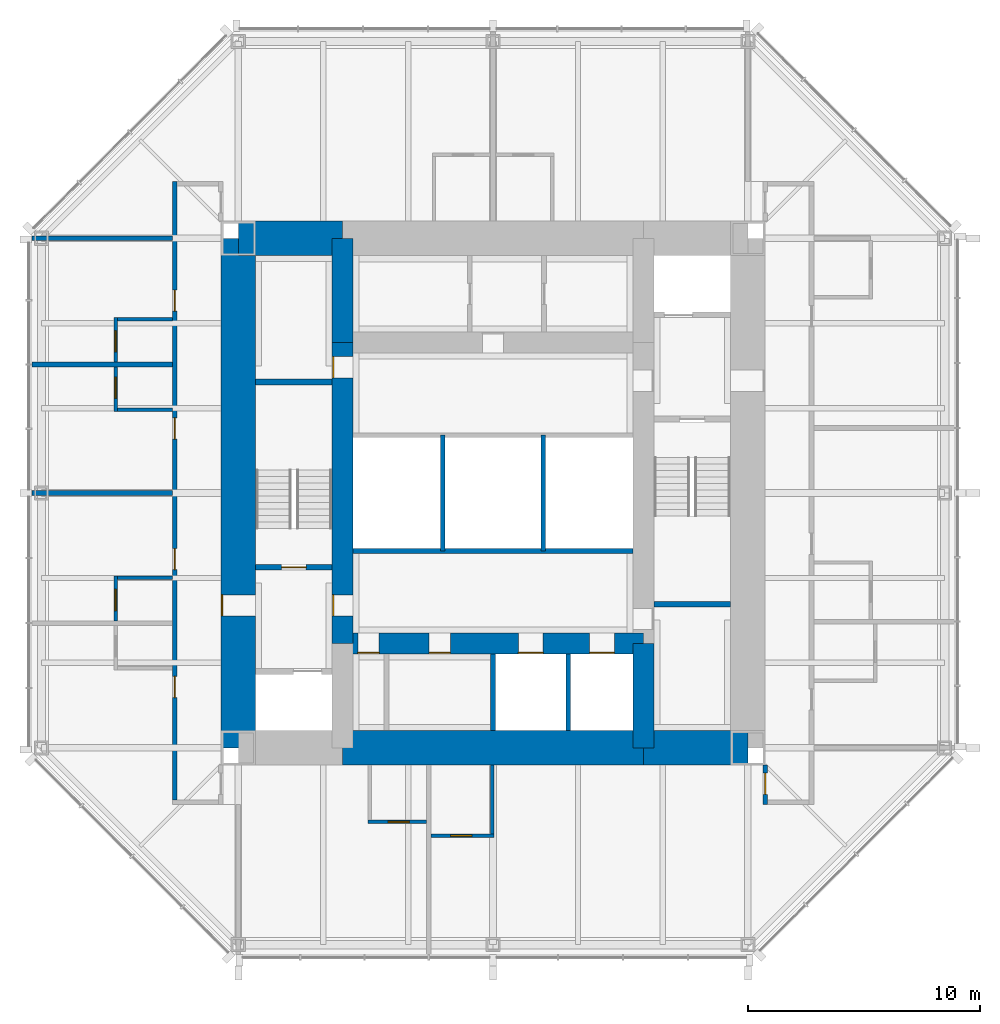
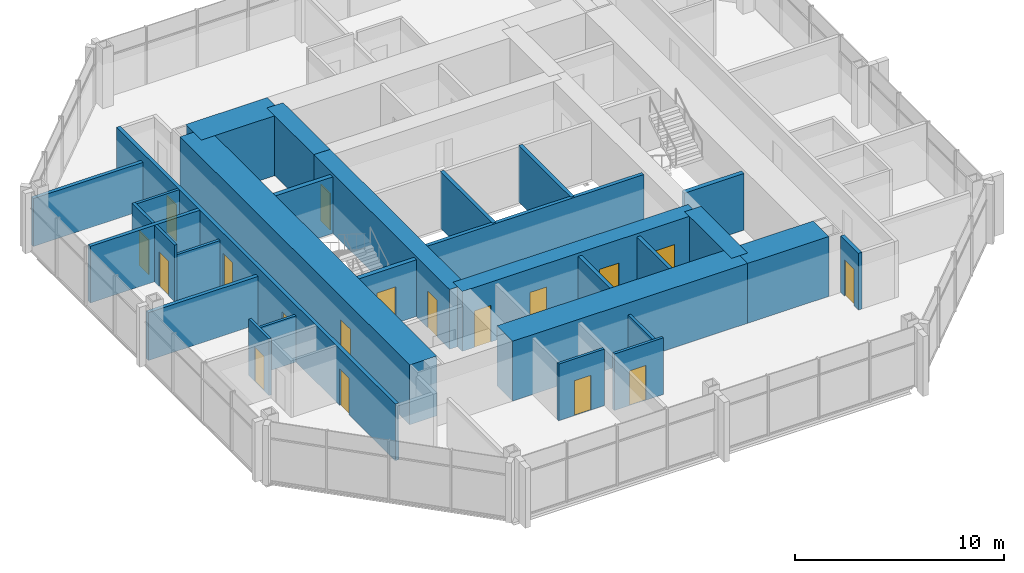
# One storey, part 8 of 11: 30 walls, 18 doors, 18 openings.
"""IFC4 building model written with IfcOpenShell, lengths in metres."""

from ifc_helpers import new_model, si_unit, direction, frame, frame_2d, origin, place, context, subcontext, project, spatial, rectangle, extrude, material, layer, layer_set, type_object, element, fill, save


model = new_model("IFC4")

# Units and contexts
model_context = context("Model", 3, precision=1e-05, world=origin(), true_north=direction((0.0, 1.0)))
body_context = subcontext(model_context, "Body", "Model", "MODEL_VIEW")
ifc_project = project(units=[si_unit("LENGTHUNIT", "METRE"), si_unit("AREAUNIT", "SQUARE_METRE"), si_unit("VOLUMEUNIT", "CUBIC_METRE"), si_unit("PLANEANGLEUNIT", "RADIAN"), si_unit("MASSUNIT", "GRAM", prefix="KILO")], contexts=[model_context])

# Site, building, storey
site_placement = place(None, origin())
site = spatial("IfcSite", under=ifc_project, at=site_placement, CompositionType="ELEMENT")
building_placement = place(site_placement, origin())
building = spatial("IfcBuilding", under=site, at=building_placement, Name="Trevanion Tower", CompositionType="ELEMENT")
storey_placement = place(building_placement, frame((0.0, 0.0, 222.199951171875)))
storey = spatial("IfcBuildingStorey", under=building, at=storey_placement, Name="L53", CompositionType="ELEMENT", Elevation=222.199951171875)

# Wall, opening, door
ifc_material_1 = material(Name="Concrete 10,000 psi", Category="concrete")
ifc_layer_1 = layer(ifc_material_1, 1.5)
ifc_layer_set_1 = layer_set([ifc_layer_1], Name="CW1 core wall 1500")
wall_type_1 = type_object("IfcWallType", Name="CW1 core wall 1500", PredefinedType="SHEAR", material=ifc_layer_set_1)
wall_1_placement = place(storey_placement, frame((-11.0, 11.0, 0.0), z_axis=(0.0, 0.0, 1.0), x_axis=(0.0, -1.0, 0.0)))
wall_1 = element("IfcWall", 1, at=wall_1_placement, inside=storey, type_object=wall_type_1, Name="CW1 CW L53", PredefinedType="SHEAR", context=body_context, shape_type="SweptSolid", body=[
    extrude(rectangle(XDim=22.0, YDim=1.5, at=frame_2d((11.0, 0.0))), origin(), (0.0, 0.0, 1.0), 3.5),
])
opening_1_placement = place(wall_1_placement, frame((15.392578125, 0.0, 0.0)))
opening_1 = element("IfcOpeningElement", 2, at=opening_1_placement, cuts=wall_1, Name="Opening 53-002", PredefinedType="OPENING", context=body_context, shape_type="SweptSolid", body=[
    extrude(rectangle(XDim=0.9150390625, YDim=2.134033203125, at=frame_2d((0.45751953125, 1.06689453125))), frame((0.0, 0.760009765625, 0.0), z_axis=(0.0, -1.0, 0.0), x_axis=(1.0, 0.0, 0.0)), (0.0, 0.0, 1.0), 1.52001953125),
])
ifc_material_2 = material(Name="Hollow metal, fire rated", Category="steel")
door_type_1 = type_object("IfcDoorType", Name="D3 fire lift lobby door", OperationType="SINGLE_SWING_RIGHT", PredefinedType="DOOR", material=ifc_material_2)
door_1_placement = place(opening_1_placement, origin())
door_1 = element("IfcDoor", 3, at=door_1_placement, inside=storey, type_object=door_type_1, Name="Door 53-002", OperationType="SINGLE_SWING_RIGHT", OverallHeight=2.134033203125, OverallWidth=0.9150390625, PredefinedType="DOOR", context=body_context, shape_type="SweptSolid", body=[
    extrude(rectangle(XDim=0.9150390625, YDim=2.134033203125, at=frame_2d((0.45751953125, 1.06689453125))), frame((0.0, -0.6748046875, 0.0), z_axis=(0.0, -1.0, 0.0), x_axis=(1.0, 0.0, 0.0)), (0.0, 0.0, 1.0), 0.050048828125),
])
fill(opening_1, door_1)

# Walls
wall_2_placement = place(storey_placement, frame((-6.5, 11.0, 0.0), z_axis=(0.0, 0.0, 1.0), x_axis=(-1.0, 0.0, 0.0)))
element("IfcWall", 4, at=wall_2_placement, inside=storey, type_object=wall_type_1, Name="CW1 CN3 L53", PredefinedType="SHEAR", context=body_context, shape_type="SweptSolid", body=[
    extrude(rectangle(XDim=4.5, YDim=1.5, at=frame_2d((2.25, 0.0))), origin(), (0.0, 0.0, 1.0), 3.5),
])
wall_3_placement = place(storey_placement, frame((-6.5, -11.0, 0.0), z_axis=(0.0, 0.0, 1.0), x_axis=(1.0, 0.0, 0.0)))
element("IfcWall", 5, at=wall_3_placement, inside=storey, type_object=wall_type_1, Name="CW1 CS2 L53", PredefinedType="SHEAR", context=body_context, shape_type="SweptSolid", body=[
    extrude(rectangle(XDim=13.0, YDim=1.5, at=frame_2d((6.5, 0.0))), origin(), (0.0, 0.0, 1.0), 3.5),
])
wall_4_placement = place(storey_placement, frame((6.5, -11.0, 0.0), z_axis=(0.0, 0.0, 1.0), x_axis=(1.0, 0.0, 0.0)))
element("IfcWall", 6, at=wall_4_placement, inside=storey, type_object=wall_type_1, Name="CW1 CS3 L53", PredefinedType="SHEAR", context=body_context, shape_type="SweptSolid", body=[
    extrude(rectangle(XDim=4.5, YDim=1.5, at=frame_2d((2.25, 0.0))), origin(), (0.0, 0.0, 1.0), 3.5),
])
ifc_material_3 = material(Name="Concrete 10,000 psi", Category="concrete")
ifc_layer_2 = layer(ifc_material_3, 0.89990234375)
ifc_layer_set_2 = layer_set([ifc_layer_2], Name="CW2 core wall 900")
wall_type_2 = type_object("IfcWallType", Name="CW2 core wall 900", PredefinedType="SHEAR", material=ifc_layer_set_2)
for number, where, z_axis, x_axis, name in (
    (7, (6.5, -11.0, 0.0), (0.0, 0.0, 1.0), (0.0, 1.0, 0.0), "CW2 RE1 L53"),
    (8, (-6.5, 11.0, 0.0), (0.0, 0.0, 1.0), (0.0, -1.0, 0.0), "CW2 RW1 L53"),
):
    element("IfcWall", number, at=place(storey_placement, frame(where, z_axis=z_axis, x_axis=x_axis)), inside=storey, type_object=wall_type_2, Name=name, PredefinedType="SHEAR", context=body_context, shape_type="SweptSolid", body=[
        extrude(rectangle(XDim=4.5, YDim=0.89990234375, at=frame_2d((2.25, 0.0))), origin(), (0.0, 0.0, 1.0), 3.5),
    ])

# Wall, openings, doors
wall_5_placement = place(storey_placement, frame((-6.5, 6.5, 0.0), z_axis=(0.0, 0.0, 1.0), x_axis=(0.0, -1.0, 0.0)))
wall_5 = element("IfcWall", 9, at=wall_5_placement, inside=storey, type_object=wall_type_2, Name="CW2 RW2 L53", PredefinedType="SHEAR", context=body_context, shape_type="SweptSolid", body=[
    extrude(rectangle(XDim=13.0, YDim=0.89990234375, at=frame_2d((6.5, 0.0))), origin(), (0.0, 0.0, 1.0), 3.5),
])
opening_2_placement = place(wall_5_placement, frame((10.892578125, 0.0, 0.0)))
opening_2 = element("IfcOpeningElement", 10, at=opening_2_placement, cuts=wall_5, Name="Opening 53-004", PredefinedType="OPENING", context=body_context, shape_type="SweptSolid", body=[
    extrude(rectangle(XDim=0.9150390625, YDim=2.134033203125, at=frame_2d((0.45751953125, 1.06689453125))), frame((0.0, 0.4599609375, 0.0), z_axis=(0.0, -1.0, 0.0), x_axis=(1.0, 0.0, 0.0)), (0.0, 0.0, 1.0), 0.919921875),
])
opening_3_placement = place(wall_5_placement, frame((0.610107421875, 0.0, 0.0)))
opening_3 = element("IfcOpeningElement", 11, at=opening_3_placement, cuts=wall_5, Name="Opening 53-010", PredefinedType="OPENING", context=body_context, shape_type="SweptSolid", body=[
    extrude(rectangle(XDim=0.9150390625, YDim=2.134033203125, at=frame_2d((0.45751953125, 1.06689453125))), frame((0.0, 0.4599609375, 0.0), z_axis=(0.0, -1.0, 0.0), x_axis=(1.0, 0.0, 0.0)), (0.0, 0.0, 1.0), 0.919921875),
])
door_2_placement = place(opening_2_placement, origin())
door_2 = element("IfcDoor", 12, at=door_2_placement, inside=storey, type_object=door_type_1, Name="Door 53-004", OperationType="SINGLE_SWING_RIGHT", OverallHeight=2.134033203125, OverallWidth=0.9150390625, PredefinedType="DOOR", context=body_context, shape_type="SweptSolid", body=[
    extrude(rectangle(XDim=0.9150390625, YDim=2.134033203125, at=frame_2d((0.45751953125, 1.06689453125))), frame((0.0, -0.375, 0.0), z_axis=(0.0, -1.0, 0.0), x_axis=(1.0, 0.0, 0.0)), (0.0, 0.0, 1.0), 0.050048828125),
])
fill(opening_2, door_2)
ifc_material_4 = material(Name="Hollow metal, fire rated", Category="steel")
door_type_2 = type_object("IfcDoorType", Name="D5 service room door", OperationType="SINGLE_SWING_RIGHT", PredefinedType="DOOR", material=ifc_material_4)
door_3_placement = place(opening_3_placement, origin())
door_3 = element("IfcDoor", 13, at=door_3_placement, inside=storey, type_object=door_type_2, Name="Door 53-010", OperationType="SINGLE_SWING_RIGHT", OverallHeight=2.134033203125, OverallWidth=0.9150390625, PredefinedType="DOOR", context=body_context, shape_type="SweptSolid", body=[
    extrude(rectangle(XDim=0.9150390625, YDim=2.134033203125, at=frame_2d((0.45751953125, 1.06689453125))), frame((0.0, -0.375, 0.0), z_axis=(0.0, -1.0, 0.0), x_axis=(1.0, 0.0, 0.0)), (0.0, 0.0, 1.0), 0.050048828125),
])
fill(opening_3, door_3)

wall_6_placement = place(storey_placement, frame((-6.5, -6.5, 0.0), z_axis=(0.0, 0.0, 1.0), x_axis=(1.0, 0.0, 0.0)))
wall_6 = element("IfcWall", 14, at=wall_6_placement, inside=storey, type_object=wall_type_2, Name="CW2 RS L53", PredefinedType="SHEAR", context=body_context, shape_type="SweptSolid", body=[
    extrude(rectangle(XDim=13.0, YDim=0.89990234375, at=frame_2d((6.5, 0.0))), origin(), (0.0, 0.0, 1.0), 3.5),
])
opening_4_placement = place(wall_6_placement, frame((7.591552734375, 0.0, 0.0)))
opening_4 = element("IfcOpeningElement", 15, at=opening_4_placement, cuts=wall_6, Name="Opening 53-011", PredefinedType="OPENING", context=body_context, shape_type="SweptSolid", body=[
    extrude(rectangle(XDim=1.06689453125, YDim=2.134033203125, at=frame_2d((0.533447265625, 1.06689453125))), frame((0.0, 0.4599609375, 0.0), z_axis=(0.0, -1.0, 0.0), x_axis=(1.0, 0.0, 0.0)), (0.0, 0.0, 1.0), 0.919921875),
])
opening_5_placement = place(wall_6_placement, frame((10.66650390625, 0.0, 0.0)))
opening_5 = element("IfcOpeningElement", 16, at=opening_5_placement, cuts=wall_6, Name="Opening 53-012", PredefinedType="OPENING", context=body_context, shape_type="SweptSolid", body=[
    extrude(rectangle(XDim=1.06689453125, YDim=2.134033203125, at=frame_2d((0.533447265625, 1.06689453125))), frame((0.0, 0.4599609375, 0.0), z_axis=(0.0, -1.0, 0.0), x_axis=(1.0, 0.0, 0.0)), (0.0, 0.0, 1.0), 0.919921875),
])
opening_6_placement = place(wall_6_placement, frame((0.66748046875, 0.0, 0.0)))
opening_6 = element("IfcOpeningElement", 17, at=opening_6_placement, cuts=wall_6, Name="Opening 53-013", PredefinedType="OPENING", context=body_context, shape_type="SweptSolid", body=[
    extrude(rectangle(XDim=0.9150390625, YDim=2.134033203125, at=frame_2d((0.45751953125, 1.06689453125))), frame((0.0, 0.4599609375, 0.0), z_axis=(0.0, -1.0, 0.0), x_axis=(1.0, 0.0, 0.0)), (0.0, 0.0, 1.0), 0.919921875),
])
opening_7_placement = place(wall_6_placement, frame((3.742431640625, 0.0, 0.0)))
opening_7 = element("IfcOpeningElement", 18, at=opening_7_placement, cuts=wall_6, Name="Opening 53-014", PredefinedType="OPENING", context=body_context, shape_type="SweptSolid", body=[
    extrude(rectangle(XDim=0.9150390625, YDim=2.134033203125, at=frame_2d((0.45751953125, 1.06689453125))), frame((0.0, 0.4599609375, 0.0), z_axis=(0.0, -1.0, 0.0), x_axis=(1.0, 0.0, 0.0)), (0.0, 0.0, 1.0), 0.919921875),
])
door_4_placement = place(opening_6_placement, origin())
door_4 = element("IfcDoor", 19, at=door_4_placement, inside=storey, type_object=door_type_2, Name="Door 53-013", OperationType="SINGLE_SWING_RIGHT", OverallHeight=2.134033203125, OverallWidth=0.9150390625, PredefinedType="DOOR", context=body_context, shape_type="SweptSolid", body=[
    extrude(rectangle(XDim=0.9150390625, YDim=2.134033203125, at=frame_2d((0.45751953125, 1.06689453125))), frame((0.0, -0.375, 0.0), z_axis=(0.0, -1.0, 0.0), x_axis=(1.0, 0.0, 0.0)), (0.0, 0.0, 1.0), 0.050048828125),
])
fill(opening_6, door_4)
door_5_placement = place(opening_7_placement, origin())
door_5 = element("IfcDoor", 20, at=door_5_placement, inside=storey, type_object=door_type_2, Name="Door 53-014", OperationType="SINGLE_SWING_RIGHT", OverallHeight=2.134033203125, OverallWidth=0.9150390625, PredefinedType="DOOR", context=body_context, shape_type="SweptSolid", body=[
    extrude(rectangle(XDim=0.9150390625, YDim=2.134033203125, at=frame_2d((0.45751953125, 1.06689453125))), frame((0.0, -0.375, 0.0), z_axis=(0.0, -1.0, 0.0), x_axis=(1.0, 0.0, 0.0)), (0.0, 0.0, 1.0), 0.050048828125),
])
fill(opening_7, door_5)
ifc_material_5 = material(Name="Stainless steel, fire rated", Category="steel")
door_type_3 = type_object("IfcDoorType", Name="LD1 lift landing door", OperationType="SLIDING_TO_LEFT", PredefinedType="DOOR", material=ifc_material_5)
door_6_placement = place(opening_4_placement, origin())
door_6 = element("IfcDoor", 21, at=door_6_placement, inside=storey, type_object=door_type_3, Name="Door 53-011", OperationType="SLIDING_TO_LEFT", OverallHeight=2.134033203125, OverallWidth=1.06689453125, PredefinedType="DOOR", context=body_context, shape_type="SweptSolid", body=[
    extrude(rectangle(XDim=1.06689453125, YDim=2.134033203125, at=frame_2d((0.533447265625, 1.06689453125))), frame((0.0, -0.375, 0.0), z_axis=(0.0, -1.0, 0.0), x_axis=(1.0, 0.0, 0.0)), (0.0, 0.0, 1.0), 0.050048828125),
])
fill(opening_4, door_6)
door_7_placement = place(opening_5_placement, origin())
door_7 = element("IfcDoor", 22, at=door_7_placement, inside=storey, type_object=door_type_3, Name="Door 53-012", OperationType="SLIDING_TO_LEFT", OverallHeight=2.134033203125, OverallWidth=1.06689453125, PredefinedType="DOOR", context=body_context, shape_type="SweptSolid", body=[
    extrude(rectangle(XDim=1.06689453125, YDim=2.134033203125, at=frame_2d((0.533447265625, 1.06689453125))), frame((0.0, -0.375, 0.0), z_axis=(0.0, -1.0, 0.0), x_axis=(1.0, 0.0, 0.0)), (0.0, 0.0, 1.0), 0.050048828125),
])
fill(opening_5, door_7)

# Wall, opening, door
ifc_material_6 = material(Name="Gypsum board on steel studs", Category="steel")
ifc_layer_3 = layer(ifc_material_6, 0.14990234375)
ifc_layer_set_3 = layer_set([ifc_layer_3], Name="PT1 partition 150")
wall_type_3 = type_object("IfcWallType", Name="PT1 partition 150", PredefinedType="PARTITIONING", material=ifc_layer_set_3)
wall_7_placement = place(storey_placement, frame((-16.300048828125, 7.573974609375, 0.0), z_axis=(0.0, 0.0, 1.0), x_axis=(0.0, -1.0, 0.0)))
wall_7 = element("IfcWall", 23, at=wall_7_placement, inside=storey, type_object=wall_type_3, Name="PT1 L53 BA20", PredefinedType="PARTITIONING", context=body_context, shape_type="SweptSolid", body=[
    extrude(rectangle(XDim=1.925048828125, YDim=0.14990234375, at=frame_2d((0.96240234375, 0.0))), origin(), (0.0, 0.0, 1.0), 3.31005859375),
])
opening_8_placement = place(wall_7_placement, frame((0.5673828125, 0.0, 0.0)))
opening_8 = element("IfcOpeningElement", 24, at=opening_8_placement, cuts=wall_7, Name="Opening 53-028", PredefinedType="OPENING", context=body_context, shape_type="SweptSolid", body=[
    extrude(rectangle(XDim=0.9150390625, YDim=2.031982421875, at=frame_2d((0.45751953125, 1.01611328125))), frame((0.0, 0.0849609375, 0.0), z_axis=(0.0, -1.0, 0.0), x_axis=(1.0, 0.0, 0.0)), (0.0, 0.0, 1.0), 0.169921875),
])
ifc_material_7 = material(Name="Timber veneer", Category="wood")
door_type_4 = type_object("IfcDoorType", Name="D7 bathroom door", OperationType="SINGLE_SWING_LEFT", PredefinedType="DOOR", material=ifc_material_7)
door_8_placement = place(opening_8_placement, origin())
door_8 = element("IfcDoor", 25, at=door_8_placement, inside=storey, type_object=door_type_4, Name="Door 53-028", OperationType="SINGLE_SWING_LEFT", OverallHeight=2.031982421875, OverallWidth=0.9150390625, PredefinedType="DOOR", context=body_context, shape_type="SweptSolid", body=[
    extrude(rectangle(XDim=0.9150390625, YDim=2.031982421875, at=frame_2d((0.45751953125, 1.01611328125))), frame((0.0, 0.02490234375, 0.0), z_axis=(0.0, -1.0, 0.0), x_axis=(1.0, 0.0, 0.0)), (0.0, 0.0, 1.0), 0.050048828125),
])
fill(opening_8, door_8)

# Wall
wall_8_placement = place(storey_placement, frame((-13.85009765625, 7.4990234375, 0.0), z_axis=(0.0, 0.0, 1.0), x_axis=(-1.0, 0.0, 0.0)))
element("IfcWall", 26, at=wall_8_placement, inside=storey, type_object=wall_type_3, Name="PT1 L53 BB20", PredefinedType="PARTITIONING", context=body_context, shape_type="SweptSolid", body=[
    extrude(rectangle(XDim=2.375, YDim=0.14990234375, at=frame_2d((1.1875, 0.0))), origin(), (0.0, 0.0, 1.0), 3.31005859375),
])

# Wall, opening, door
wall_9_placement = place(storey_placement, frame((-16.300048828125, 5.448974609375, 0.0), z_axis=(0.0, 0.0, 1.0), x_axis=(0.0, -1.0, 0.0)))
wall_9 = element("IfcWall", 27, at=wall_9_placement, inside=storey, type_object=wall_type_3, Name="PT1 L53 BA21", PredefinedType="PARTITIONING", context=body_context, shape_type="SweptSolid", body=[
    extrude(rectangle(XDim=1.925048828125, YDim=0.14990234375, at=frame_2d((0.96240234375, 0.0))), origin(), (0.0, 0.0, 1.0), 3.31005859375),
])
opening_9_placement = place(wall_9_placement, frame((0.4423828125, 0.0, 0.0)))
opening_9 = element("IfcOpeningElement", 28, at=opening_9_placement, cuts=wall_9, Name="Opening 53-030", PredefinedType="OPENING", context=body_context, shape_type="SweptSolid", body=[
    extrude(rectangle(XDim=0.9150390625, YDim=2.031982421875, at=frame_2d((0.45751953125, 1.01611328125))), frame((0.0, 0.0849609375, 0.0), z_axis=(0.0, -1.0, 0.0), x_axis=(1.0, 0.0, 0.0)), (0.0, 0.0, 1.0), 0.169921875),
])
door_9_placement = place(opening_9_placement, origin())
door_9 = element("IfcDoor", 29, at=door_9_placement, inside=storey, type_object=door_type_4, Name="Door 53-030", OperationType="SINGLE_SWING_LEFT", OverallHeight=2.031982421875, OverallWidth=0.9150390625, PredefinedType="DOOR", context=body_context, shape_type="SweptSolid", body=[
    extrude(rectangle(XDim=0.9150390625, YDim=2.031982421875, at=frame_2d((0.45751953125, 1.01611328125))), frame((0.0, 0.02490234375, 0.0), z_axis=(0.0, -1.0, 0.0), x_axis=(1.0, 0.0, 0.0)), (0.0, 0.0, 1.0), 0.050048828125),
])
fill(opening_9, door_9)

# Wall
wall_10_placement = place(storey_placement, frame((-13.85009765625, 3.59912109375, 0.0), z_axis=(0.0, 0.0, 1.0), x_axis=(-1.0, 0.0, 0.0)))
element("IfcWall", 30, at=wall_10_placement, inside=storey, type_object=wall_type_3, Name="PT1 L53 BB21", PredefinedType="PARTITIONING", context=body_context, shape_type="SweptSolid", body=[
    extrude(rectangle(XDim=2.375, YDim=0.14990234375, at=frame_2d((1.1875, 0.0))), origin(), (0.0, 0.0, 1.0), 2.703125),
])

# Wall, opening, door
wall_11_placement = place(storey_placement, frame((-16.300048828125, -3.589111328125, 0.0), z_axis=(0.0, 0.0, 1.0), x_axis=(0.0, -1.0, 0.0)))
wall_11 = element("IfcWall", 31, at=wall_11_placement, inside=storey, type_object=wall_type_3, Name="PT1 L53 BA22", PredefinedType="PARTITIONING", context=body_context, shape_type="SweptSolid", body=[
    extrude(rectangle(XDim=1.9248046875, YDim=0.14990234375, at=frame_2d((0.96240234375, 0.0))), origin(), (0.0, 0.0, 1.0), 3.31005859375),
])
opening_10_placement = place(wall_11_placement, frame((0.5673828125, 0.0, 0.0)))
opening_10 = element("IfcOpeningElement", 32, at=opening_10_placement, cuts=wall_11, Name="Opening 53-032", PredefinedType="OPENING", context=body_context, shape_type="SweptSolid", body=[
    extrude(rectangle(XDim=0.9150390625, YDim=2.031982421875, at=frame_2d((0.45751953125, 1.01611328125))), frame((0.0, 0.0849609375, 0.0), z_axis=(0.0, -1.0, 0.0), x_axis=(1.0, 0.0, 0.0)), (0.0, 0.0, 1.0), 0.169921875),
])
door_10_placement = place(opening_10_placement, origin())
door_10 = element("IfcDoor", 33, at=door_10_placement, inside=storey, type_object=door_type_4, Name="Door 53-032", OperationType="SINGLE_SWING_LEFT", OverallHeight=2.031982421875, OverallWidth=0.9150390625, PredefinedType="DOOR", context=body_context, shape_type="SweptSolid", body=[
    extrude(rectangle(XDim=0.9150390625, YDim=2.031982421875, at=frame_2d((0.45751953125, 1.01611328125))), frame((0.0, 0.02490234375, 0.0), z_axis=(0.0, -1.0, 0.0), x_axis=(1.0, 0.0, 0.0)), (0.0, 0.0, 1.0), 0.050048828125),
])
fill(opening_10, door_10)

# Wall
wall_12_placement = place(storey_placement, frame((-13.85009765625, -3.6640625, 0.0), z_axis=(0.0, 0.0, 1.0), x_axis=(-1.0, 0.0, 0.0)))
element("IfcWall", 34, at=wall_12_placement, inside=storey, type_object=wall_type_3, Name="PT1 L53 BB22", PredefinedType="PARTITIONING", context=body_context, shape_type="SweptSolid", body=[
    extrude(rectangle(XDim=2.375, YDim=0.14990234375, at=frame_2d((1.1875, 0.0))), origin(), (0.0, 0.0, 1.0), 2.703125),
])

# Wall, opening, door
wall_13_placement = place(storey_placement, frame((-5.39990234375, -14.199951171875, 0.0), z_axis=(0.0, 0.0, 1.0), x_axis=(1.0, 0.0, 0.0)))
wall_13 = element("IfcWall", 35, at=wall_13_placement, inside=storey, type_object=wall_type_3, Name="PT1 L53 BA30", PredefinedType="PARTITIONING", context=body_context, shape_type="SweptSolid", body=[
    extrude(rectangle(XDim=2.52490234375, YDim=0.14990234375, at=frame_2d((1.262451171875, 0.0))), origin(), (0.0, 0.0, 1.0), 3.31005859375),
])
opening_11_placement = place(wall_13_placement, frame((0.867431640625, 0.0, 0.0)))
opening_11 = element("IfcOpeningElement", 36, at=opening_11_placement, cuts=wall_13, Name="Opening 53-038", PredefinedType="OPENING", context=body_context, shape_type="SweptSolid", body=[
    extrude(rectangle(XDim=0.9150390625, YDim=2.031982421875, at=frame_2d((0.45751953125, 1.01611328125))), frame((0.0, 0.0849609375, 0.0), z_axis=(0.0, -1.0, 0.0), x_axis=(1.0, 0.0, 0.0)), (0.0, 0.0, 1.0), 0.169921875),
])
door_11_placement = place(opening_11_placement, origin())
door_11 = element("IfcDoor", 37, at=door_11_placement, inside=storey, type_object=door_type_4, Name="Door 53-038", OperationType="SINGLE_SWING_LEFT", OverallHeight=2.031982421875, OverallWidth=0.9150390625, PredefinedType="DOOR", context=body_context, shape_type="SweptSolid", body=[
    extrude(rectangle(XDim=0.9150390625, YDim=2.031982421875, at=frame_2d((0.45751953125, 1.01611328125))), frame((0.0, 0.02490234375, 0.0), z_axis=(0.0, -1.0, 0.0), x_axis=(1.0, 0.0, 0.0)), (0.0, 0.0, 1.0), 0.050048828125),
])
fill(opening_11, door_11)

wall_14_placement = place(storey_placement, frame((-2.675048828125, -14.800048828125, 0.0), z_axis=(0.0, 0.0, 1.0), x_axis=(1.0, 0.0, 0.0)))
wall_14 = element("IfcWall", 38, at=wall_14_placement, inside=storey, type_object=wall_type_3, Name="PT1 L53 BA31", PredefinedType="PARTITIONING", context=body_context, shape_type="SweptSolid", body=[
    extrude(rectangle(XDim=2.72509765625, YDim=0.14990234375, at=frame_2d((1.362548828125, 0.0))), origin(), (0.0, 0.0, 1.0), 3.31005859375),
])
opening_12_placement = place(wall_14_placement, frame((0.842529296875, 0.0, 0.0)))
opening_12 = element("IfcOpeningElement", 39, at=opening_12_placement, cuts=wall_14, Name="Opening 53-039", PredefinedType="OPENING", context=body_context, shape_type="SweptSolid", body=[
    extrude(rectangle(XDim=0.9150390625, YDim=2.031982421875, at=frame_2d((0.45751953125, 1.01611328125))), frame((0.0, 0.0849609375, 0.0), z_axis=(0.0, -1.0, 0.0), x_axis=(1.0, 0.0, 0.0)), (0.0, 0.0, 1.0), 0.169921875),
])
door_12_placement = place(opening_12_placement, origin())
door_12 = element("IfcDoor", 40, at=door_12_placement, inside=storey, type_object=door_type_4, Name="Door 53-039", OperationType="SINGLE_SWING_LEFT", OverallHeight=2.031982421875, OverallWidth=0.9150390625, PredefinedType="DOOR", context=body_context, shape_type="SweptSolid", body=[
    extrude(rectangle(XDim=0.9150390625, YDim=2.031982421875, at=frame_2d((0.45751953125, 1.01611328125))), frame((0.0, 0.02490234375, 0.0), z_axis=(0.0, -1.0, 0.0), x_axis=(1.0, 0.0, 0.0)), (0.0, 0.0, 1.0), 0.050048828125),
])
fill(opening_12, door_12)

# Walls
wall_15_placement = place(storey_placement, frame((-0.02490234375, -11.75, 0.0), z_axis=(0.0, 0.0, 1.0), x_axis=(0.0, -1.0, 0.0)))
element("IfcWall", 41, at=wall_15_placement, inside=storey, type_object=wall_type_3, Name="PT1 L53 BB31", PredefinedType="PARTITIONING", context=body_context, shape_type="SweptSolid", body=[
    extrude(rectangle(XDim=2.97509765625, YDim=0.14990234375, at=frame_2d((1.487548828125, 0.0))), origin(), (0.0, 0.0, 1.0), 2.802001953125),
])
ifc_material_8 = material(Name="Concrete masonry, grouted", Category="masonry")
ifc_layer_4 = layer(ifc_material_8, 0.199951171875)
ifc_layer_set_4 = layer_set([ifc_layer_4], Name="PT2 partition 200 1 HR")
wall_type_4 = type_object("IfcWallType", Name="PT2 partition 200 1 HR", PredefinedType="PARTITIONING", material=ifc_layer_set_4)
wall_16_placement = place(storey_placement, frame((6.050048828125, -2.5, 0.0), z_axis=(0.0, 0.0, 1.0), x_axis=(-1.0, 0.0, 0.0)))
element("IfcWall", 42, at=wall_16_placement, inside=storey, type_object=wall_type_4, Name="PT2 L53 CP2", PredefinedType="PARTITIONING", context=body_context, shape_type="SweptSolid", body=[
    extrude(rectangle(XDim=12.10009765625, YDim=0.199951171875, at=frame_2d((6.050048828125, 0.0))), origin(), (0.0, 0.0, 1.0), 3.31005859375),
])

# Wall, opening, door
wall_17_placement = place(storey_placement, frame((11.75, -11.75, 0.0), z_axis=(0.0, 0.0, 1.0), x_axis=(0.0, -1.0, 0.0)))
wall_17 = element("IfcWall", 43, at=wall_17_placement, inside=storey, type_object=wall_type_4, Name="PT2 L53 HO3b", PredefinedType="PARTITIONING", context=body_context, shape_type="SweptSolid", body=[
    extrude(rectangle(XDim=1.699951171875, YDim=0.199951171875, at=frame_2d((0.85009765625, 0.0))), origin(), (0.0, 0.0, 1.0), 3.31005859375),
])
opening_13_placement = place(wall_17_placement, frame((0.342529296875, 0.0, 0.0)))
opening_13 = element("IfcOpeningElement", 44, at=opening_13_placement, cuts=wall_17, Name="Opening 53-037", PredefinedType="OPENING", context=body_context, shape_type="SweptSolid", body=[
    extrude(rectangle(XDim=0.9150390625, YDim=2.134033203125, at=frame_2d((0.45751953125, 1.06689453125))), frame((0.0, 0.10986328125, 0.0), z_axis=(0.0, -1.0, 0.0), x_axis=(1.0, 0.0, 0.0)), (0.0, 0.0, 1.0), 0.219970703125),
])
ifc_material_9 = material(Name="Timber veneer, fire rated", Category="wood")
door_type_5 = type_object("IfcDoorType", Name="D6 guest room entrance door", OperationType="SINGLE_SWING_LEFT", PredefinedType="DOOR", material=ifc_material_9)
door_13_placement = place(opening_13_placement, origin())
door_13 = element("IfcDoor", 45, at=door_13_placement, inside=storey, type_object=door_type_5, Name="Door 53-037", OperationType="SINGLE_SWING_LEFT", OverallHeight=2.134033203125, OverallWidth=0.9150390625, PredefinedType="DOOR", context=body_context, shape_type="SweptSolid", body=[
    extrude(rectangle(XDim=0.9150390625, YDim=2.134033203125, at=frame_2d((0.45751953125, 1.06689453125))), frame((0.0, 0.02490234375, 0.0), z_axis=(0.0, -1.0, 0.0), x_axis=(1.0, 0.0, 0.0)), (0.0, 0.0, 1.0), 0.050048828125),
])
fill(opening_13, door_13)

# Wall, openings, doors
wall_18_placement = place(storey_placement, frame((-13.75, 13.449951171875, 0.0), z_axis=(0.0, 0.0, 1.0), x_axis=(0.0, -1.0, 0.0)))
wall_18 = element("IfcWall", 46, at=wall_18_placement, inside=storey, type_object=wall_type_4, Name="PT2 L53 HC2", PredefinedType="PARTITIONING", context=body_context, shape_type="SweptSolid", body=[
    extrude(rectangle(XDim=26.699951171875, YDim=0.199951171875, at=frame_2d((13.35009765625, 0.0))), origin(), (0.0, 0.0, 1.0), 3.31005859375),
])
opening_14_placement = place(wall_18_placement, frame((4.68359375, 0.0, 0.0)))
opening_14 = element("IfcOpeningElement", 47, at=opening_14_placement, cuts=wall_18, Name="Opening 53-029", PredefinedType="OPENING", context=body_context, shape_type="SweptSolid", body=[
    extrude(rectangle(XDim=0.9150390625, YDim=2.134033203125, at=frame_2d((0.45751953125, 1.06689453125))), frame((0.0, 0.10986328125, 0.0), z_axis=(0.0, -1.0, 0.0), x_axis=(1.0, 0.0, 0.0)), (0.0, 0.0, 1.0), 0.219970703125),
])
opening_15_placement = place(wall_18_placement, frame((10.20361328125, 0.0, 0.0)))
opening_15 = element("IfcOpeningElement", 48, at=opening_15_placement, cuts=wall_18, Name="Opening 53-031", PredefinedType="OPENING", context=body_context, shape_type="SweptSolid", body=[
    extrude(rectangle(XDim=0.9150390625, YDim=2.134033203125, at=frame_2d((0.45751953125, 1.06689453125))), frame((0.0, 0.10986328125, 0.0), z_axis=(0.0, -1.0, 0.0), x_axis=(1.0, 0.0, 0.0)), (0.0, 0.0, 1.0), 0.219970703125),
])
opening_16_placement = place(wall_18_placement, frame((15.846435546875, 0.0, 0.0)))
opening_16 = element("IfcOpeningElement", 49, at=opening_16_placement, cuts=wall_18, Name="Opening 53-033", PredefinedType="OPENING", context=body_context, shape_type="SweptSolid", body=[
    extrude(rectangle(XDim=0.9150390625, YDim=2.134033203125, at=frame_2d((0.45751953125, 1.06689453125))), frame((0.0, 0.10986328125, 0.0), z_axis=(0.0, -1.0, 0.0), x_axis=(1.0, 0.0, 0.0)), (0.0, 0.0, 1.0), 0.219970703125),
])
opening_17_placement = place(wall_18_placement, frame((21.366455078125, 0.0, 0.0)))
opening_17 = element("IfcOpeningElement", 50, at=opening_17_placement, cuts=wall_18, Name="Opening 53-035", PredefinedType="OPENING", context=body_context, shape_type="SweptSolid", body=[
    extrude(rectangle(XDim=0.9150390625, YDim=2.134033203125, at=frame_2d((0.45751953125, 1.06689453125))), frame((0.0, 0.10986328125, 0.0), z_axis=(0.0, -1.0, 0.0), x_axis=(1.0, 0.0, 0.0)), (0.0, 0.0, 1.0), 0.219970703125),
])
door_14_placement = place(opening_14_placement, origin())
door_14 = element("IfcDoor", 51, at=door_14_placement, inside=storey, type_object=door_type_5, Name="Door 53-029", OperationType="SINGLE_SWING_LEFT", OverallHeight=2.134033203125, OverallWidth=0.9150390625, PredefinedType="DOOR", context=body_context, shape_type="SweptSolid", body=[
    extrude(rectangle(XDim=0.9150390625, YDim=2.134033203125, at=frame_2d((0.45751953125, 1.06689453125))), frame((0.0, 0.02490234375, 0.0), z_axis=(0.0, -1.0, 0.0), x_axis=(1.0, 0.0, 0.0)), (0.0, 0.0, 1.0), 0.050048828125),
])
fill(opening_14, door_14)
door_15_placement = place(opening_15_placement, origin())
door_15 = element("IfcDoor", 52, at=door_15_placement, inside=storey, type_object=door_type_5, Name="Door 53-031", OperationType="SINGLE_SWING_LEFT", OverallHeight=2.134033203125, OverallWidth=0.9150390625, PredefinedType="DOOR", context=body_context, shape_type="SweptSolid", body=[
    extrude(rectangle(XDim=0.9150390625, YDim=2.134033203125, at=frame_2d((0.45751953125, 1.06689453125))), frame((0.0, 0.02490234375, 0.0), z_axis=(0.0, -1.0, 0.0), x_axis=(1.0, 0.0, 0.0)), (0.0, 0.0, 1.0), 0.050048828125),
])
fill(opening_15, door_15)
door_16_placement = place(opening_16_placement, origin())
door_16 = element("IfcDoor", 53, at=door_16_placement, inside=storey, type_object=door_type_5, Name="Door 53-033", OperationType="SINGLE_SWING_LEFT", OverallHeight=2.134033203125, OverallWidth=0.9150390625, PredefinedType="DOOR", context=body_context, shape_type="SweptSolid", body=[
    extrude(rectangle(XDim=0.9150390625, YDim=2.134033203125, at=frame_2d((0.45751953125, 1.06689453125))), frame((0.0, 0.02490234375, 0.0), z_axis=(0.0, -1.0, 0.0), x_axis=(1.0, 0.0, 0.0)), (0.0, 0.0, 1.0), 0.050048828125),
])
fill(opening_16, door_16)
door_17_placement = place(opening_17_placement, origin())
door_17 = element("IfcDoor", 54, at=door_17_placement, inside=storey, type_object=door_type_5, Name="Door 53-035", OperationType="SINGLE_SWING_LEFT", OverallHeight=2.134033203125, OverallWidth=0.9150390625, PredefinedType="DOOR", context=body_context, shape_type="SweptSolid", body=[
    extrude(rectangle(XDim=0.9150390625, YDim=2.134033203125, at=frame_2d((0.45751953125, 1.06689453125))), frame((0.0, 0.02490234375, 0.0), z_axis=(0.0, -1.0, 0.0), x_axis=(1.0, 0.0, 0.0)), (0.0, 0.0, 1.0), 0.050048828125),
])
fill(opening_17, door_17)

# Walls
wall_19_placement = place(storey_placement, frame((-13.85009765625, 11.0, 0.0), z_axis=(0.0, 0.0, 1.0), x_axis=(-1.0, 0.0, 0.0)))
element("IfcWall", 55, at=wall_19_placement, inside=storey, type_object=wall_type_4, Name="PT2 L53 HD20", PredefinedType="PARTITIONING", context=body_context, shape_type="SweptSolid", body=[
    extrude(rectangle(XDim=6.06494140625, YDim=0.199951171875, at=frame_2d((3.032470703125, 0.0))), origin(), (0.0, 0.0, 1.0), 2.802001953125),
])
wall_20_placement = place(storey_placement, frame((-13.85009765625, 5.549072265625, 0.0), z_axis=(0.0, 0.0, 1.0), x_axis=(-1.0, 0.0, 0.0)))
element("IfcWall", 56, at=wall_20_placement, inside=storey, type_object=wall_type_4, Name="PT2 L53 HD21", PredefinedType="PARTITIONING", context=body_context, shape_type="SweptSolid", body=[
    extrude(rectangle(XDim=6.06494140625, YDim=0.199951171875, at=frame_2d((3.032470703125, 0.0))), origin(), (0.0, 0.0, 1.0), 3.31005859375),
])
wall_21_placement = place(storey_placement, frame((-13.85009765625, 0.0, 0.0), z_axis=(0.0, 0.0, 1.0), x_axis=(-1.0, 0.0, 0.0)))
element("IfcWall", 57, at=wall_21_placement, inside=storey, type_object=wall_type_4, Name="PT2 L53 HD22", PredefinedType="PARTITIONING", context=body_context, shape_type="SweptSolid", body=[
    extrude(rectangle(XDim=6.06494140625, YDim=0.199951171875, at=frame_2d((3.032470703125, 0.0))), origin(), (0.0, 0.0, 1.0), 2.802001953125),
])
ifc_material_10 = material(Name="Concrete masonry, grouted", Category="masonry")
ifc_layer_5 = layer(ifc_material_10, 0.199951171875)
ifc_layer_set_5 = layer_set([ifc_layer_5], Name="PT2 partition 200 2 HR")
wall_type_5 = type_object("IfcWallType", Name="PT2 partition 200 2 HR", PredefinedType="PARTITIONING", material=ifc_layer_set_5)
for number, where, z_axis, x_axis, name in (
    (58, (0.0, -10.25, 0.0), (0.0, 0.0, 1.0), (0.0, 1.0, 0.0), "PT2 L53 SS1"),
    (59, (3.25, -10.25, 0.0), (0.0, 0.0, 1.0), (0.0, 1.0, 0.0), "PT2 L53 SS2"),
):
    element("IfcWall", number, at=place(storey_placement, frame(where, z_axis=z_axis, x_axis=x_axis)), inside=storey, type_object=wall_type_5, Name=name, PredefinedType="PARTITIONING", context=body_context, shape_type="SweptSolid", body=[
        extrude(rectangle(XDim=3.300048828125, YDim=0.199951171875, at=frame_2d((1.64990234375, 0.0))), origin(), (0.0, 0.0, 1.0), 3.31005859375),
    ])
for number, where, z_axis, x_axis, name in (
    (60, (-2.166748046875, -2.5, 0.0), (0.0, 0.0, 1.0), (0.0, 1.0, 0.0), "PT2 L53 MS0"),
    (61, (2.166748046875, -2.5, 0.0), (0.0, 0.0, 1.0), (0.0, 1.0, 0.0), "PT2 L53 MS1"),
):
    element("IfcWall", number, at=place(storey_placement, frame(where, z_axis=z_axis, x_axis=x_axis)), inside=storey, type_object=wall_type_5, Name=name, PredefinedType="PARTITIONING", context=body_context, shape_type="SweptSolid", body=[
        extrude(rectangle(XDim=5.0, YDim=0.199951171875, at=frame_2d((2.5, 0.0))), origin(), (0.0, 0.0, 1.0), 3.31005859375),
    ])
ifc_material_11 = material(Name="Reinforced masonry, fully grouted", Category="masonry")
ifc_layer_6 = layer(ifc_material_11, 0.25)
ifc_layer_set_6 = layer_set([ifc_layer_6], Name="SW1 stair shaft wall 250")
wall_type_6 = type_object("IfcWallType", Name="SW1 stair shaft wall 250", PredefinedType="SOLIDWALL", material=ifc_layer_set_6)
for number, where, z_axis, x_axis, name in (
    (62, (6.949951171875, -4.800048828125, 0.0), (0.0, 0.0, 1.0), (1.0, 0.0, 0.0), "SW1 L53 EP1"),
    (63, (-6.949951171875, 4.800048828125, 0.0), (0.0, 0.0, 1.0), (-1.0, 0.0, 0.0), "SW1 L53 WP1"),
):
    element("IfcWall", number, at=place(storey_placement, frame(where, z_axis=z_axis, x_axis=x_axis)), inside=storey, type_object=wall_type_6, Name=name, PredefinedType="SOLIDWALL", context=body_context, shape_type="SweptSolid", body=[
        extrude(rectangle(XDim=3.300048828125, YDim=0.25, at=frame_2d((1.64990234375, 0.0))), origin(), (0.0, 0.0, 1.0), 3.31005859375),
    ])

# Wall, opening, door
wall_22_placement = place(storey_placement, frame((-6.949951171875, -3.199951171875, 0.0), z_axis=(0.0, 0.0, 1.0), x_axis=(-1.0, 0.0, 0.0)))
wall_22 = element("IfcWall", 64, at=wall_22_placement, inside=storey, type_object=wall_type_6, Name="SW1 L53 WP2", PredefinedType="SOLIDWALL", context=body_context, shape_type="SweptSolid", body=[
    extrude(rectangle(XDim=3.300048828125, YDim=0.25, at=frame_2d((1.64990234375, 0.0))), origin(), (0.0, 0.0, 1.0), 3.31005859375),
])
opening_18_placement = place(wall_22_placement, frame((1.116455078125, 0.0, 0.0)))
opening_18 = element("IfcOpeningElement", 65, at=opening_18_placement, cuts=wall_22, Name="Opening 53-006", PredefinedType="OPENING", context=body_context, shape_type="SweptSolid", body=[
    extrude(rectangle(XDim=1.06689453125, YDim=2.134033203125, at=frame_2d((0.533447265625, 1.06689453125))), frame((0.0, 0.135009765625, 0.0), z_axis=(0.0, -1.0, 0.0), x_axis=(1.0, 0.0, 0.0)), (0.0, 0.0, 1.0), 0.27001953125),
])
ifc_material_12 = material(Name="Hollow metal, fire rated", Category="steel")
door_type_6 = type_object("IfcDoorType", Name="D2 exit stair door", OperationType="SINGLE_SWING_LEFT", PredefinedType="DOOR", material=ifc_material_12)
door_18_placement = place(opening_18_placement, origin())
door_18 = element("IfcDoor", 66, at=door_18_placement, inside=storey, type_object=door_type_6, Name="Door 53-006", OperationType="SINGLE_SWING_LEFT", OverallHeight=2.134033203125, OverallWidth=1.06689453125, PredefinedType="DOOR", context=body_context, shape_type="SweptSolid", body=[
    extrude(rectangle(XDim=1.06689453125, YDim=2.134033203125, at=frame_2d((0.533447265625, 1.06689453125))), frame((0.0, 0.02490234375, 0.0), z_axis=(0.0, -1.0, 0.0), x_axis=(1.0, 0.0, 0.0)), (0.0, 0.0, 1.0), 0.050048828125),
])
fill(opening_18, door_18)

save(model, "model.ifc")
